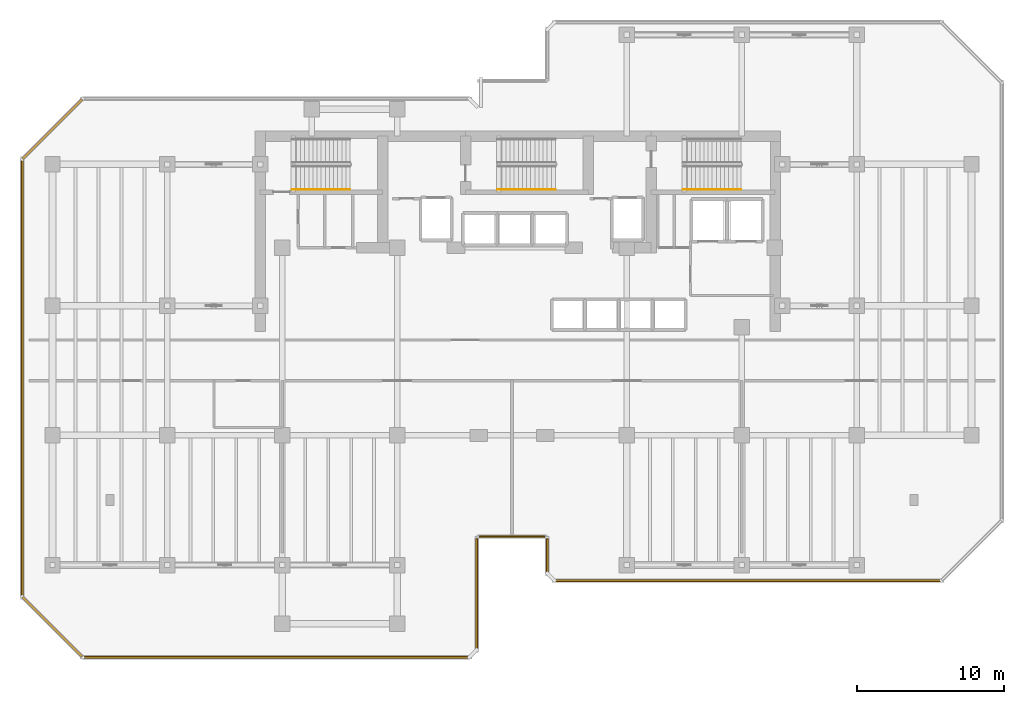
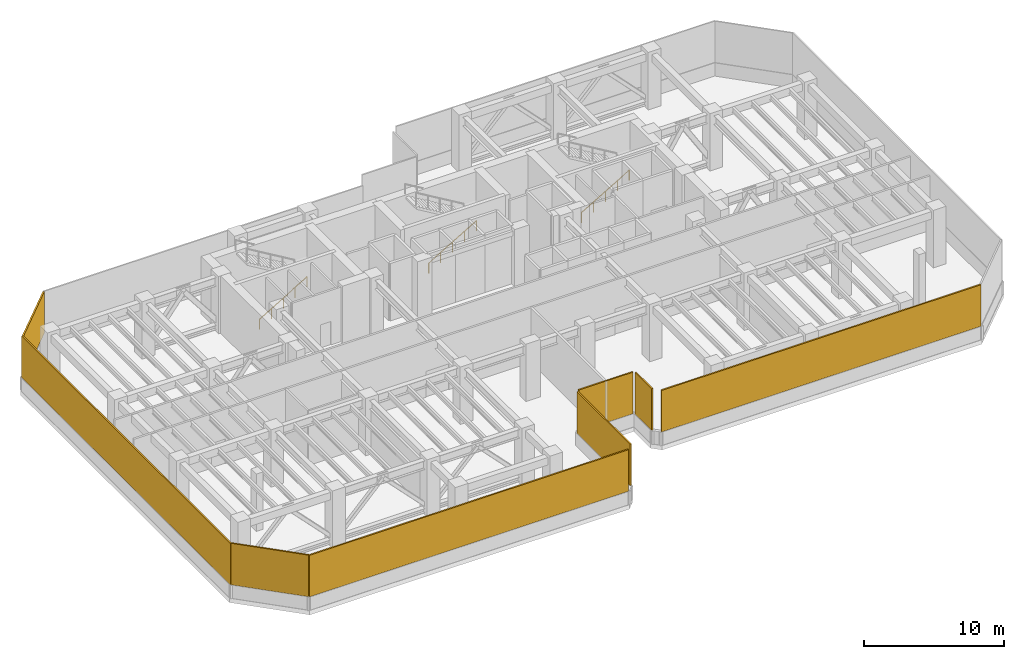
# One storey, part 7 of 10: 8 shading devices, 3 railings.
"""IFC4 building model written with IfcOpenShell, lengths in metres."""

from ifc_helpers import new_model, si_unit, direction, frame, origin, origin_2d, place, context, subcontext, project, spatial, rectangle, circle, extrude, material, layer, layer_set, type_object, element, save


model = new_model("IFC4")

# Units and contexts
model_context = context("Model", 3, precision=1e-05, world=origin(), true_north=direction((0.0, 1.0)))
body_context = subcontext(model_context, "Body", "Model", "MODEL_VIEW")
ifc_project = project(units=[si_unit("LENGTHUNIT", "METRE"), si_unit("AREAUNIT", "SQUARE_METRE"), si_unit("VOLUMEUNIT", "CUBIC_METRE"), si_unit("PLANEANGLEUNIT", "RADIAN"), si_unit("MASSUNIT", "GRAM", prefix="KILO")], contexts=[model_context])

# Site, building, storey
site_placement = place(None, origin())
site = spatial("IfcSite", under=ifc_project, at=site_placement, CompositionType="ELEMENT")
building_placement = place(site_placement, origin())
building = spatial("IfcBuilding", under=site, at=building_placement, Name="Kestravale Grand Hotel", CompositionType="ELEMENT")
storey_placement = place(building_placement, frame((0.0, 0.0, 184.0)))
storey = spatial("IfcBuildingStorey", under=building, at=storey_placement, Name="L46", CompositionType="ELEMENT", Elevation=184.0)

# Railings
ifc_material_1 = material(Name="Brushed stainless steel wall handrail", Category="steel")
railing_type = type_object("IfcRailingType", Name="RL-ST-HND900", PredefinedType="HANDRAIL", material=ifc_material_1)
for number, where, name in (
    (1, (24.080078125, 36.699951171875, 0.166748046875), "L46 ST-1 stair handrail 1"),
    (2, (38.030029296875, 36.699951171875, 0.166748046875), "L46 ST-2 stair handrail 1"),
):
    element("IfcRailing", number, at=place(storey_placement, frame(where)), inside=storey, type_object=railing_type, Name=name, PredefinedType="HANDRAIL", context=body_context, shape_type="SweptSolid", body=[
        extrude(circle(Radius=0.02392578125, at=origin_2d()), frame((0.0, 0.0, 0.8759765625), z_axis=(0.859296244711, 0.0, 0.511478214419), x_axis=(0.0, 1.0, 0.0)), (0.0, 0.0, 1.0), 4.561767578125),
        extrude(circle(Radius=0.02099609375, at=origin_2d()), origin(), (0.0, 0.0, 1.0), 0.851806640625),
        extrude(circle(Radius=0.02099609375, at=origin_2d()), frame((0.97998046875, 0.0, 0.583251953125)), (0.0, 0.0, 1.0), 0.851806640625),
        extrude(circle(Radius=0.02099609375, at=origin_2d()), frame((1.9599609375, 0.0, 1.16650390625)), (0.0, 0.0, 1.0), 0.851806640625),
        extrude(circle(Radius=0.02099609375, at=origin_2d()), frame((2.93994140625, 0.0, 1.75)), (0.0, 0.0, 1.0), 0.851806640625),
        extrude(circle(Radius=0.02099609375, at=origin_2d()), frame((3.919921875, 0.0, 2.333251953125)), (0.0, 0.0, 1.0), 0.851806640625),
    ])
railing_placement = place(storey_placement, frame((50.6298828125, 36.699951171875, 0.166748046875)))
element("IfcRailing", 3, at=railing_placement, inside=storey, type_object=railing_type, Name="L46 ST-3 stair handrail 1", PredefinedType="HANDRAIL", context=body_context, shape_type="SweptSolid", body=[
    extrude(circle(Radius=0.02392578125, at=origin_2d()), frame((0.0, 0.0, 0.8759765625), z_axis=(0.859310244771, 0.0, 0.511454693235), x_axis=(0.0, 1.0, 0.0)), (0.0, 0.0, 1.0), 4.56201171875),
    extrude(circle(Radius=0.02099609375, at=origin_2d()), origin(), (0.0, 0.0, 1.0), 0.851806640625),
    extrude(circle(Radius=0.02099609375, at=origin_2d()), frame((0.97998046875, 0.0, 0.583251953125)), (0.0, 0.0, 1.0), 0.851806640625),
    extrude(circle(Radius=0.02099609375, at=origin_2d()), frame((1.9599609375, 0.0, 1.16650390625)), (0.0, 0.0, 1.0), 0.851806640625),
    extrude(circle(Radius=0.02099609375, at=origin_2d()), frame((2.940185546875, 0.0, 1.75)), (0.0, 0.0, 1.0), 0.851806640625),
    extrude(circle(Radius=0.02099609375, at=origin_2d()), frame((3.920166015625, 0.0, 2.333251953125)), (0.0, 0.0, 1.0), 0.851806640625),
])

# Shading devices
ifc_material_2 = material(Name="Anodised bronze storm-proof acoustic ventilation louvre", Category="aluminium")
ifc_layer = layer(ifc_material_2, 0.1201171875)
ifc_layer_set = layer_set([ifc_layer], Name="SHD-LVR-REF")
shading_device_type = type_object("IfcShadingDeviceType", Name="SHD-LVR-REF", PredefinedType="JALOUSIE", material=ifc_layer_set)
shading_device_1_placement = place(storey_placement, frame((22.97509765625, 4.93994140625, 1.1298828125), z_axis=(0.0, 0.0, 1.0), x_axis=(1.0, 0.0, 0.0)))
element("IfcShadingDevice", 4, at=shading_device_1_placement, inside=storey, type_object=shading_device_type, Name="L46 mechanical refuge chevron louvre 1", PredefinedType="JALOUSIE", context=body_context, shape_type="SweptSolid", body=[
    extrude(rectangle(XDim=26.330078125, YDim=0.1201171875, at=origin_2d()), origin(), (0.0, 0.0, 1.0), 3.6201171875),
])
shading_device_2_placement = place(storey_placement, frame((36.610107421875, 9.199951171875, 1.1298828125), z_axis=(0.0, 0.0, 1.0), x_axis=(0.0, 1.0, 0.0)))
element("IfcShadingDevice", 5, at=shading_device_2_placement, inside=storey, type_object=shading_device_type, Name="L46 mechanical refuge chevron louvre 3", PredefinedType="JALOUSIE", context=body_context, shape_type="SweptSolid", body=[
    extrude(rectangle(XDim=7.580078125, YDim=0.1201171875, at=origin_2d()), origin(), (0.0, 0.0, 1.0), 3.6201171875),
])
shading_device_3_placement = place(storey_placement, frame((39.0, 13.139892578125, 1.1298828125), z_axis=(0.0, 0.0, 1.0), x_axis=(1.0, 0.0, 0.0)))
element("IfcShadingDevice", 6, at=shading_device_3_placement, inside=storey, type_object=shading_device_type, Name="L46 mechanical refuge chevron louvre 4", PredefinedType="JALOUSIE", context=body_context, shape_type="SweptSolid", body=[
    extrude(rectangle(XDim=4.47998046875, YDim=0.1201171875, at=origin_2d()), origin(), (0.0, 0.0, 1.0), 3.6201171875),
])
shading_device_4_placement = place(storey_placement, frame((41.389892578125, 11.800048828125, 1.1298828125), z_axis=(0.0, 0.0, 1.0), x_axis=(0.0, -1.0, 0.0)))
element("IfcShadingDevice", 7, at=shading_device_4_placement, inside=storey, type_object=shading_device_type, Name="L46 mechanical refuge chevron louvre 5", PredefinedType="JALOUSIE", context=body_context, shape_type="SweptSolid", body=[
    extrude(rectangle(XDim=2.3798828125, YDim=0.1201171875, at=origin_2d()), origin(), (0.0, 0.0, 1.0), 3.6201171875),
])
shading_device_5_placement = place(storey_placement, frame((55.02490234375, 10.139892578125, 1.1298828125), z_axis=(0.0, 0.0, 1.0), x_axis=(1.0, 0.0, 0.0)))
element("IfcShadingDevice", 8, at=shading_device_5_placement, inside=storey, type_object=shading_device_type, Name="L46 mechanical refuge chevron louvre 7", PredefinedType="JALOUSIE", context=body_context, shape_type="SweptSolid", body=[
    extrude(rectangle(XDim=26.330078125, YDim=0.1201171875, at=origin_2d()), origin(), (0.0, 0.0, 1.0), 3.6201171875),
])
shading_device_6_placement = place(storey_placement, frame((7.799072265625, 40.801025390625, 1.1298828125), z_axis=(0.0, 0.0, 1.0), x_axis=(-0.707106781187, -0.707106781187, 0.0)))
element("IfcShadingDevice", 9, at=shading_device_6_placement, inside=storey, type_object=shading_device_type, Name="L46 mechanical refuge chevron louvre 18", PredefinedType="JALOUSIE", context=body_context, shape_type="SweptSolid", body=[
    extrude(rectangle(XDim=5.7197265625, YDim=0.1201171875, at=origin_2d()), origin(), (0.0, 0.0, 1.0), 3.6201171875),
])
shading_device_7_placement = place(storey_placement, frame((5.739990234375, 23.89990234375, 1.1298828125), z_axis=(0.0, 0.0, 1.0), x_axis=(0.0, -1.0, 0.0)))
element("IfcShadingDevice", 10, at=shading_device_7_placement, inside=storey, type_object=shading_device_type, Name="L46 mechanical refuge chevron louvre 19", PredefinedType="JALOUSIE", context=body_context, shape_type="SweptSolid", body=[
    extrude(rectangle(XDim=29.780029296875, YDim=0.1201171875, at=origin_2d()), origin(), (0.0, 0.0, 1.0), 3.6201171875),
])
shading_device_8_placement = place(storey_placement, frame((7.799072265625, 6.9990234375, 1.1298828125), z_axis=(0.0, 0.0, 1.0), x_axis=(0.707106781187, -0.707106781187, 0.0)))
element("IfcShadingDevice", 11, at=shading_device_8_placement, inside=storey, type_object=shading_device_type, Name="L46 mechanical refuge chevron louvre 20", PredefinedType="JALOUSIE", context=body_context, shape_type="SweptSolid", body=[
    extrude(rectangle(XDim=5.7197265625, YDim=0.1201171875, at=origin_2d()), origin(), (0.0, 0.0, 1.0), 3.6201171875),
])

save(model, "model.ifc")
